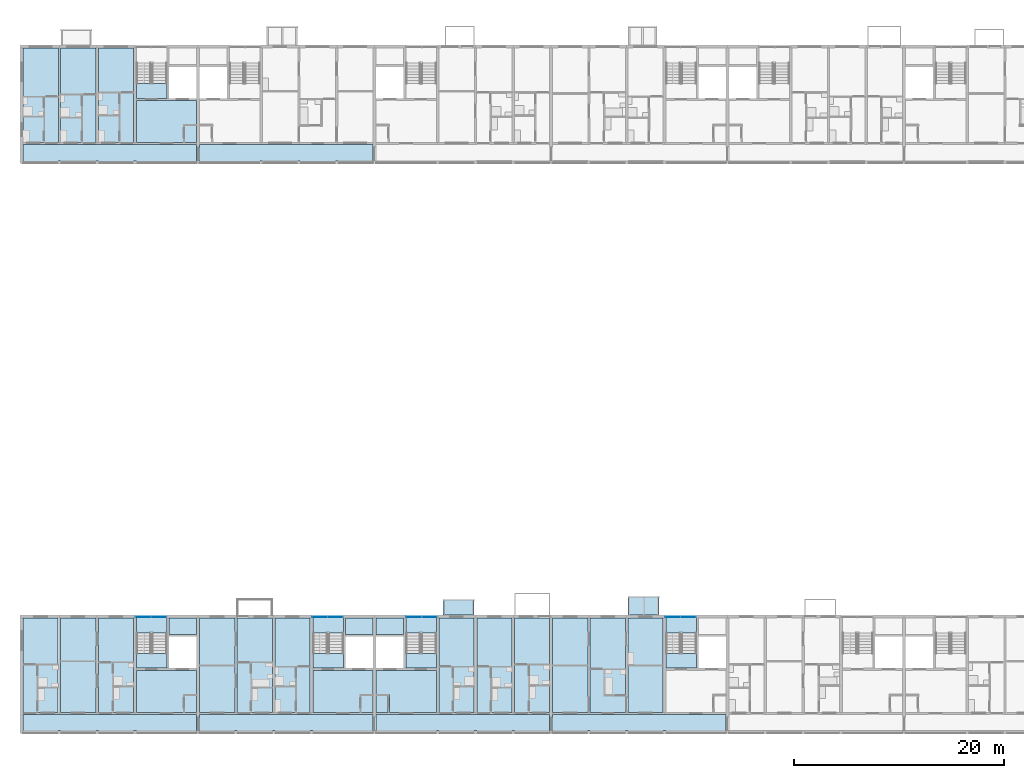
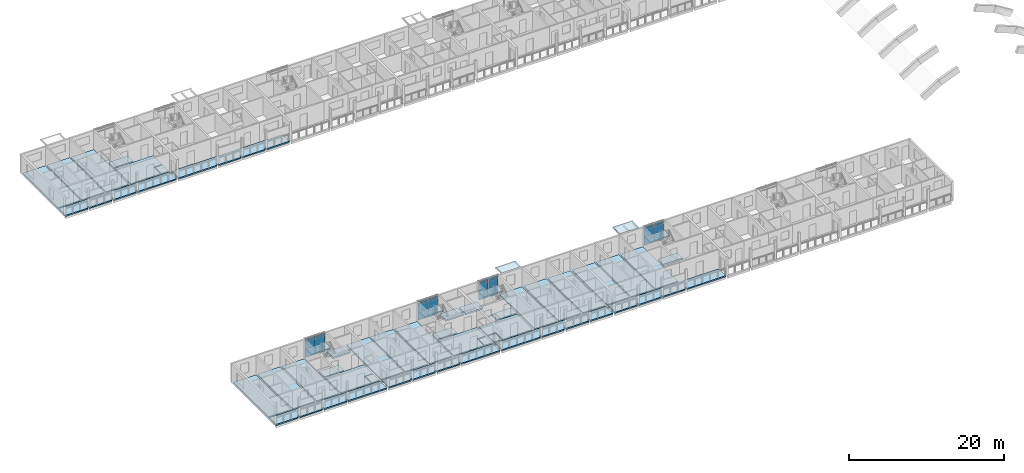
# One storey, part 21 of 99: 43 slabs, 16 plates, 8 elements without a shape of their own.
"""IFC4 building model written with IfcOpenShell, lengths in metres."""

from ifc_helpers import new_model, si_unit, direction, frame, origin, origin_2d, place, context, subcontext, project, spatial, polyline, rectangle, outline, extrude, material, layer, layer_set, type_object, element, aggregate, save


model = new_model("IFC4")

# Units and contexts
model_context = context("Model", 3, precision=1e-05, world=origin(), true_north=direction((0.0, 1.0)))
body_context = subcontext(model_context, "Body", "Model", "MODEL_VIEW")
ifc_project = project(units=[si_unit("LENGTHUNIT", "METRE"), si_unit("AREAUNIT", "SQUARE_METRE"), si_unit("VOLUMEUNIT", "CUBIC_METRE"), si_unit("PLANEANGLEUNIT", "RADIAN"), si_unit("MASSUNIT", "GRAM", prefix="KILO")], contexts=[model_context])

# Site, building, storey
site_placement = place(None, origin())
site = spatial("IfcSite", under=ifc_project, at=site_placement, CompositionType="ELEMENT")
building_placement = place(site_placement, origin())
building = spatial("IfcBuilding", under=site, at=building_placement, Name="Ridgestep Commons", CompositionType="ELEMENT")
storey_placement = place(building_placement, frame((0.0, 0.0, 15.0)))
storey = spatial("IfcBuildingStorey", under=building, at=storey_placement, Name="L05", CompositionType="ELEMENT", Elevation=15.0)

# Slabs
ifc_material_1 = material(Name="Precast concrete C40/50", Category="concrete")
ifc_layer_1 = layer(ifc_material_1, 0.199951171875)
ifc_layer_set_1 = layer_set([ifc_layer_1], Name="Gallery slab 200")
slab_type_1 = type_object("IfcSlabType", Name="Gallery slab 200", PredefinedType="FLOOR", material=ifc_layer_set_1)
slab_1_placement = place(storey_placement, frame((0.0, 0.0, -0.199951171875)))
element("IfcSlab", 1, at=slab_1_placement, inside=storey, type_object=slab_type_1, Name="Gallery slab A1 L05", PredefinedType="FLOOR", context=body_context, shape_type="SweptSolid", body=[
    extrude(outline(polyline([(28.64990234375, 13.550048828125), (12.14990234375, 13.550048828125), (12.14990234375, 11.75), (15.47509765625, 11.75), (15.47509765625, 12.0), (15.72509765625, 12.0), (15.72509765625, 11.75), (19.074951171875, 11.75), (19.074951171875, 12.0), (19.324951171875, 12.0), (19.324951171875, 11.75), (22.675048828125, 11.75), (22.675048828125, 12.0), (22.925048828125, 12.0), (22.925048828125, 11.75), (28.64990234375, 11.75), (28.64990234375, 13.550048828125)])), origin(), (0.0, 0.0, 1.0), 0.199951171875),
])
slab_2_placement = place(storey_placement, frame((0.0, 0.0, -0.199951171875)))
element("IfcSlab", 2, at=slab_2_placement, inside=storey, type_object=slab_type_1, Name="Gallery slab A2 L05", PredefinedType="FLOOR", context=body_context, shape_type="SweptSolid", body=[
    extrude(outline(polyline([(45.449951171875, 13.550048828125), (28.949951171875, 13.550048828125), (28.949951171875, 11.75), (32.27490234375, 11.75), (32.27490234375, 12.0), (32.52490234375, 12.0), (32.52490234375, 11.75), (35.875, 11.75), (35.875, 12.0), (36.125, 12.0), (36.125, 11.75), (39.47509765625, 11.75), (39.47509765625, 12.0), (39.72509765625, 12.0), (39.72509765625, 11.75), (45.449951171875, 11.75), (45.449951171875, 13.550048828125)])), origin(), (0.0, 0.0, 1.0), 0.199951171875),
])
slab_3_placement = place(storey_placement, frame((0.0, 0.0, -0.199951171875)))
element("IfcSlab", 3, at=slab_3_placement, inside=storey, type_object=slab_type_1, Name="Gallery slab A3 L05", PredefinedType="FLOOR", context=body_context, shape_type="SweptSolid", body=[
    extrude(outline(polyline([(62.25, 13.550048828125), (45.75, 13.550048828125), (45.75, 11.75), (51.47509765625, 11.75), (51.47509765625, 12.0), (51.72509765625, 12.0), (51.72509765625, 11.75), (55.074951171875, 11.75), (55.074951171875, 12.0), (55.324951171875, 12.0), (55.324951171875, 11.75), (58.675048828125, 11.75), (58.675048828125, 12.0), (58.925048828125, 12.0), (58.925048828125, 11.75), (62.25, 11.75), (62.25, 13.550048828125)])), origin(), (0.0, 0.0, 1.0), 0.199951171875),
])
slab_4_placement = place(storey_placement, frame((0.0, 0.0, -0.199951171875)))
element("IfcSlab", 4, at=slab_4_placement, inside=storey, type_object=slab_type_1, Name="Gallery slab A4 L05", PredefinedType="FLOOR", context=body_context, shape_type="SweptSolid", body=[
    extrude(outline(polyline([(79.050048828125, 13.550048828125), (62.550048828125, 13.550048828125), (62.550048828125, 11.75), (65.875, 11.75), (65.875, 12.0), (66.125, 12.0), (66.125, 11.75), (69.47509765625, 11.75), (69.47509765625, 12.0), (69.72509765625, 12.0), (69.72509765625, 11.75), (73.074951171875, 11.75), (73.074951171875, 12.0), (73.324951171875, 12.0), (73.324951171875, 11.75), (79.050048828125, 11.75), (79.050048828125, 13.550048828125)])), origin(), (0.0, 0.0, 1.0), 0.199951171875),
])
slab_5_placement = place(storey_placement, frame((0.0, 0.0, -0.199951171875)))
element("IfcSlab", 5, at=slab_5_placement, inside=storey, type_object=slab_type_1, Name="Gallery slab B1 L05", PredefinedType="FLOOR", context=body_context, shape_type="SweptSolid", body=[
    extrude(outline(polyline([(28.64990234375, 67.800048828125), (12.14990234375, 67.800048828125), (12.14990234375, 66.0), (15.47509765625, 66.0), (15.47509765625, 66.25), (15.72509765625, 66.25), (15.72509765625, 66.0), (19.074951171875, 66.0), (19.074951171875, 66.25), (19.324951171875, 66.25), (19.324951171875, 66.0), (22.675048828125, 66.0), (22.675048828125, 66.25), (22.925048828125, 66.25), (22.925048828125, 66.0), (28.64990234375, 66.0), (28.64990234375, 67.800048828125)])), origin(), (0.0, 0.0, 1.0), 0.199951171875),
])
slab_6_placement = place(storey_placement, frame((0.0, 0.0, -0.199951171875)))
element("IfcSlab", 6, at=slab_6_placement, inside=storey, type_object=slab_type_1, Name="Gallery slab B2 L05", PredefinedType="FLOOR", context=body_context, shape_type="SweptSolid", body=[
    extrude(outline(polyline([(45.449951171875, 67.800048828125), (28.949951171875, 67.800048828125), (28.949951171875, 66.0), (34.675048828125, 66.0), (34.675048828125, 66.25), (34.925048828125, 66.25), (34.925048828125, 66.0), (38.27490234375, 66.0), (38.27490234375, 66.25), (38.52490234375, 66.25), (38.52490234375, 66.0), (41.875, 66.0), (41.875, 66.25), (42.125, 66.25), (42.125, 66.0), (45.449951171875, 66.0), (45.449951171875, 67.800048828125)])), origin(), (0.0, 0.0, 1.0), 0.199951171875),
])

# Curtain wall, plates
ifc_material_2 = material(Name="Aluminium 6063-T6 and glass", Category="aluminium")
curtain_wall_type = type_object("IfcCurtainWallType", Name="Curtain wall stair strip", PredefinedType="NOTDEFINED", material=ifc_material_2)
curtain_wall_1_placement = place(storey_placement, origin())
curtain_wall_1 = element("IfcCurtainWall", 7, at=curtain_wall_1_placement, inside=storey, type_object=curtain_wall_type, Name="Curtain wall A1C level 05", PredefinedType="NOTDEFINED")
ifc_material_3 = material(Name="Glass laminated 6/16/6 low-emissivity", Category="glass")
ifc_layer_2 = layer(ifc_material_3, 0.028076171875)
ifc_layer_set_2 = layer_set([ifc_layer_2], Name="Glazing panel 28")
plate_type_1 = type_object("IfcPlateType", Name="Glazing panel 28", PredefinedType="CURTAIN_PANEL", material=ifc_layer_set_2)
plate_1_placement = place(storey_placement, frame((23.5712890625, 22.830078125, 0.06005859375), z_axis=(0.0, 0.0, 1.0), x_axis=(1.0, 0.0, 0.0)))
plate_1 = element("IfcPlate", 8, at=plate_1_placement, type_object=plate_type_1, Name="CW1 panel 1.1", PredefinedType="CURTAIN_PANEL", context=body_context, shape_type="SweptSolid", body=[
    extrude(rectangle(XDim=1.422607421875, YDim=0.028076171875, at=origin_2d()), origin(), (0.0, 0.0, 1.0), 2.5),
])
plate_2_placement = place(storey_placement, frame((25.0537109375, 22.830078125, 0.06005859375), z_axis=(0.0, 0.0, 1.0), x_axis=(1.0, 0.0, 0.0)))
plate_2 = element("IfcPlate", 9, at=plate_2_placement, type_object=plate_type_1, Name="CW1 panel 2.1", PredefinedType="CURTAIN_PANEL", context=body_context, shape_type="SweptSolid", body=[
    extrude(rectangle(XDim=1.422607421875, YDim=0.028076171875, at=origin_2d()), origin(), (0.0, 0.0, 1.0), 2.5),
])

curtain_wall_2_placement = place(storey_placement, origin())
curtain_wall_2 = element("IfcCurtainWall", 10, at=curtain_wall_2_placement, inside=storey, type_object=curtain_wall_type, Name="Curtain wall A2C level 05", PredefinedType="NOTDEFINED")
plate_3_placement = place(storey_placement, frame((40.371337890625, 22.830078125, 0.06005859375), z_axis=(0.0, 0.0, 1.0), x_axis=(1.0, 0.0, 0.0)))
plate_3 = element("IfcPlate", 11, at=plate_3_placement, type_object=plate_type_1, Name="CW1 panel 1.1", PredefinedType="CURTAIN_PANEL", context=body_context, shape_type="SweptSolid", body=[
    extrude(rectangle(XDim=1.422607421875, YDim=0.028076171875, at=origin_2d()), origin(), (0.0, 0.0, 1.0), 2.5),
])
plate_4_placement = place(storey_placement, frame((41.853759765625, 22.830078125, 0.06005859375), z_axis=(0.0, 0.0, 1.0), x_axis=(1.0, 0.0, 0.0)))
plate_4 = element("IfcPlate", 12, at=plate_4_placement, type_object=plate_type_1, Name="CW1 panel 2.1", PredefinedType="CURTAIN_PANEL", context=body_context, shape_type="SweptSolid", body=[
    extrude(rectangle(XDim=1.422607421875, YDim=0.028076171875, at=origin_2d()), origin(), (0.0, 0.0, 1.0), 2.5),
])

curtain_wall_3_placement = place(storey_placement, origin())
curtain_wall_3 = element("IfcCurtainWall", 13, at=curtain_wall_3_placement, inside=storey, type_object=curtain_wall_type, Name="Curtain wall A3C level 05", PredefinedType="NOTDEFINED")
plate_5_placement = place(storey_placement, frame((49.34619140625, 22.830078125, 0.06005859375), z_axis=(0.0, 0.0, 1.0), x_axis=(1.0, 0.0, 0.0)))
plate_5 = element("IfcPlate", 14, at=plate_5_placement, type_object=plate_type_1, Name="CW1 panel 1.1", PredefinedType="CURTAIN_PANEL", context=body_context, shape_type="SweptSolid", body=[
    extrude(rectangle(XDim=1.422607421875, YDim=0.028076171875, at=origin_2d()), origin(), (0.0, 0.0, 1.0), 2.5),
])
plate_6_placement = place(storey_placement, frame((50.828857421875, 22.830078125, 0.06005859375), z_axis=(0.0, 0.0, 1.0), x_axis=(1.0, 0.0, 0.0)))
plate_6 = element("IfcPlate", 15, at=plate_6_placement, type_object=plate_type_1, Name="CW1 panel 2.1", PredefinedType="CURTAIN_PANEL", context=body_context, shape_type="SweptSolid", body=[
    extrude(rectangle(XDim=1.422607421875, YDim=0.028076171875, at=origin_2d()), origin(), (0.0, 0.0, 1.0), 2.5),
])

curtain_wall_4_placement = place(storey_placement, origin())
curtain_wall_4 = element("IfcCurtainWall", 16, at=curtain_wall_4_placement, inside=storey, type_object=curtain_wall_type, Name="Curtain wall A4C level 05", PredefinedType="NOTDEFINED")
plate_7_placement = place(storey_placement, frame((73.97119140625, 22.830078125, 0.06005859375), z_axis=(0.0, 0.0, 1.0), x_axis=(1.0, 0.0, 0.0)))
plate_7 = element("IfcPlate", 17, at=plate_7_placement, type_object=plate_type_1, Name="CW1 panel 1.1", PredefinedType="CURTAIN_PANEL", context=body_context, shape_type="SweptSolid", body=[
    extrude(rectangle(XDim=1.422607421875, YDim=0.028076171875, at=origin_2d()), origin(), (0.0, 0.0, 1.0), 2.5),
])
plate_8_placement = place(storey_placement, frame((75.453857421875, 22.830078125, 0.06005859375), z_axis=(0.0, 0.0, 1.0), x_axis=(1.0, 0.0, 0.0)))
plate_8 = element("IfcPlate", 18, at=plate_8_placement, type_object=plate_type_1, Name="CW1 panel 2.1", PredefinedType="CURTAIN_PANEL", context=body_context, shape_type="SweptSolid", body=[
    extrude(rectangle(XDim=1.422607421875, YDim=0.028076171875, at=origin_2d()), origin(), (0.0, 0.0, 1.0), 2.5),
])

# Slabs
ifc_material_4 = material(Name="Precast concrete C50/60", Category="concrete")
ifc_layer_3 = layer(ifc_material_4, 0.199951171875)
ifc_layer_set_3 = layer_set([ifc_layer_3], Name="Hollow-core plank 200")
slab_type_2 = type_object("IfcSlabType", Name="Hollow-core plank 200", PredefinedType="FLOOR", material=ifc_layer_set_3)
slab_7_placement = place(storey_placement, frame((0.0, 0.0, -0.199951171875)))
element("IfcSlab", 19, at=slab_7_placement, inside=storey, type_object=slab_type_2, Name="Floor plank A1T1 L05", PredefinedType="FLOOR", context=body_context, shape_type="SweptSolid", body=[
    extrude(outline(polyline([(15.47509765625, 13.75), (15.47509765625, 22.75), (12.14990234375, 22.75), (12.14990234375, 13.75), (15.47509765625, 13.75)])), origin(), (0.0, 0.0, 1.0), 0.199951171875),
])
slab_8_placement = place(storey_placement, frame((0.0, 0.0, -0.199951171875)))
element("IfcSlab", 20, at=slab_8_placement, inside=storey, type_object=slab_type_2, Name="Floor plank A1T2 L05", PredefinedType="FLOOR", context=body_context, shape_type="SweptSolid", body=[
    extrude(outline(polyline([(19.074951171875, 13.75), (19.074951171875, 22.75), (15.72509765625, 22.75), (15.72509765625, 13.75), (19.074951171875, 13.75)])), origin(), (0.0, 0.0, 1.0), 0.199951171875),
])
slab_9_placement = place(storey_placement, frame((0.0, 0.0, -0.199951171875)))
element("IfcSlab", 21, at=slab_9_placement, inside=storey, type_object=slab_type_2, Name="Floor plank A1T3 L05", PredefinedType="FLOOR", context=body_context, shape_type="SweptSolid", body=[
    extrude(outline(polyline([(22.675048828125, 13.75), (22.675048828125, 22.75), (19.324951171875, 22.75), (19.324951171875, 13.75), (22.675048828125, 13.75)])), origin(), (0.0, 0.0, 1.0), 0.199951171875),
])
slab_10_placement = place(storey_placement, frame((0.0, 0.0, -0.199951171875)))
element("IfcSlab", 22, at=slab_10_placement, inside=storey, type_object=slab_type_2, Name="Floor plank A2T1 L05", PredefinedType="FLOOR", context=body_context, shape_type="SweptSolid", body=[
    extrude(outline(polyline([(32.300048828125, 13.75), (32.300048828125, 22.75), (28.949951171875, 22.75), (28.949951171875, 13.75), (32.300048828125, 13.75)])), origin(), (0.0, 0.0, 1.0), 0.199951171875),
])
slab_11_placement = place(storey_placement, frame((0.0, 0.0, -0.199951171875)))
element("IfcSlab", 23, at=slab_11_placement, inside=storey, type_object=slab_type_2, Name="Floor plank A2T2 L05", PredefinedType="FLOOR", context=body_context, shape_type="SweptSolid", body=[
    extrude(outline(polyline([(35.89990234375, 13.75), (35.89990234375, 22.75), (32.5, 22.75), (32.5, 13.75), (35.89990234375, 13.75)])), origin(), (0.0, 0.0, 1.0), 0.199951171875),
])
slab_12_placement = place(storey_placement, frame((0.0, 0.0, -0.199951171875)))
element("IfcSlab", 24, at=slab_12_placement, inside=storey, type_object=slab_type_2, Name="Floor plank A2T3 L05", PredefinedType="FLOOR", context=body_context, shape_type="SweptSolid", body=[
    extrude(outline(polyline([(39.47509765625, 13.75), (39.47509765625, 22.75), (36.10009765625, 22.75), (36.10009765625, 13.75), (39.47509765625, 13.75)])), origin(), (0.0, 0.0, 1.0), 0.199951171875),
])
slab_13_placement = place(storey_placement, frame((0.0, 0.0, -0.199951171875)))
element("IfcSlab", 25, at=slab_13_placement, inside=storey, type_object=slab_type_2, Name="Floor plank A3T3 L05", PredefinedType="FLOOR", context=body_context, shape_type="SweptSolid", body=[
    extrude(outline(polyline([(55.074951171875, 13.75), (55.074951171875, 22.75), (51.72509765625, 22.75), (51.72509765625, 13.75), (55.074951171875, 13.75)])), origin(), (0.0, 0.0, 1.0), 0.199951171875),
])
slab_14_placement = place(storey_placement, frame((0.0, 0.0, -0.199951171875)))
element("IfcSlab", 26, at=slab_14_placement, inside=storey, type_object=slab_type_2, Name="Floor plank A3T2 L05", PredefinedType="FLOOR", context=body_context, shape_type="SweptSolid", body=[
    extrude(outline(polyline([(58.675048828125, 13.75), (58.675048828125, 22.75), (55.324951171875, 22.75), (55.324951171875, 13.75), (58.675048828125, 13.75)])), origin(), (0.0, 0.0, 1.0), 0.199951171875),
])
slab_15_placement = place(storey_placement, frame((0.0, 0.0, -0.199951171875)))
element("IfcSlab", 27, at=slab_15_placement, inside=storey, type_object=slab_type_2, Name="Floor plank A3T1 L05", PredefinedType="FLOOR", context=body_context, shape_type="SweptSolid", body=[
    extrude(outline(polyline([(62.25, 13.75), (62.25, 22.75), (58.925048828125, 22.75), (58.925048828125, 13.75), (62.25, 13.75)])), origin(), (0.0, 0.0, 1.0), 0.199951171875),
])
slab_16_placement = place(storey_placement, frame((0.0, 0.0, -0.199951171875)))
element("IfcSlab", 28, at=slab_16_placement, inside=storey, type_object=slab_type_2, Name="Floor plank A4T1 L05", PredefinedType="FLOOR", context=body_context, shape_type="SweptSolid", body=[
    extrude(outline(polyline([(65.89990234375, 13.75), (65.89990234375, 22.75), (62.550048828125, 22.75), (62.550048828125, 13.75), (65.89990234375, 13.75)])), origin(), (0.0, 0.0, 1.0), 0.199951171875),
])
slab_17_placement = place(storey_placement, frame((0.0, 0.0, -0.199951171875)))
element("IfcSlab", 29, at=slab_17_placement, inside=storey, type_object=slab_type_2, Name="Floor plank A4T2 L05", PredefinedType="FLOOR", context=body_context, shape_type="SweptSolid", body=[
    extrude(outline(polyline([(69.5, 13.75), (69.5, 22.75), (66.10009765625, 22.75), (66.10009765625, 13.75), (69.5, 13.75)])), origin(), (0.0, 0.0, 1.0), 0.199951171875),
])
slab_18_placement = place(storey_placement, frame((0.0, 0.0, -0.199951171875)))
element("IfcSlab", 30, at=slab_18_placement, inside=storey, type_object=slab_type_2, Name="Floor plank A4T3 L05", PredefinedType="FLOOR", context=body_context, shape_type="SweptSolid", body=[
    extrude(outline(polyline([(73.074951171875, 13.75), (73.074951171875, 22.75), (69.699951171875, 22.75), (69.699951171875, 13.75), (73.074951171875, 13.75)])), origin(), (0.0, 0.0, 1.0), 0.199951171875),
])
slab_19_placement = place(storey_placement, frame((0.0, 0.0, -0.199951171875)))
element("IfcSlab", 31, at=slab_19_placement, inside=storey, type_object=slab_type_2, Name="Floor plank B1T1 L05", PredefinedType="FLOOR", context=body_context, shape_type="SweptSolid", body=[
    extrude(outline(polyline([(15.5, 68.0), (15.5, 77.0), (12.14990234375, 77.0), (12.14990234375, 68.0), (15.5, 68.0)])), origin(), (0.0, 0.0, 1.0), 0.199951171875),
])
slab_20_placement = place(storey_placement, frame((0.0, 0.0, -0.199951171875)))
element("IfcSlab", 32, at=slab_20_placement, inside=storey, type_object=slab_type_2, Name="Floor plank B1T2 L05", PredefinedType="FLOOR", context=body_context, shape_type="SweptSolid", body=[
    extrude(outline(polyline([(19.10009765625, 68.0), (19.10009765625, 77.0), (15.699951171875, 77.0), (15.699951171875, 68.0), (19.10009765625, 68.0)])), origin(), (0.0, 0.0, 1.0), 0.199951171875),
])
slab_21_placement = place(storey_placement, frame((0.0, 0.0, -0.199951171875)))
element("IfcSlab", 33, at=slab_21_placement, inside=storey, type_object=slab_type_2, Name="Floor plank B1T3 L05", PredefinedType="FLOOR", context=body_context, shape_type="SweptSolid", body=[
    extrude(outline(polyline([(22.675048828125, 68.0), (22.675048828125, 77.0), (19.300048828125, 77.0), (19.300048828125, 68.0), (22.675048828125, 68.0)])), origin(), (0.0, 0.0, 1.0), 0.199951171875),
])
ifc_material_5 = material(Name="Precast concrete C50/60", Category="concrete")
ifc_layer_4 = layer(ifc_material_5, 0.25)
ifc_layer_set_4 = layer_set([ifc_layer_4], Name="Hollow-core plank 250")
slab_type_3 = type_object("IfcSlabType", Name="Hollow-core plank 250", PredefinedType="FLOOR", material=ifc_layer_set_4)
slab_22_placement = place(storey_placement, frame((0.0, 0.0, -0.25)))
element("IfcSlab", 34, at=slab_22_placement, inside=storey, type_object=slab_type_3, Name="Floor plank A1C L05", PredefinedType="FLOOR", context=body_context, shape_type="SweptSolid", body=[
    extrude(outline(polyline([(27.52001953125, 15.469970703125), (28.64990234375, 15.469970703125), (28.64990234375, 17.75), (22.925048828125, 17.75), (22.925048828125, 13.75), (27.39990234375, 13.75), (27.39990234375, 15.469970703125), (27.52001953125, 15.469970703125)])), origin(), (0.0, 0.0, 1.0), 0.25),
])
slab_23_placement = place(storey_placement, frame((0.0, 0.0, -0.25)))
element("IfcSlab", 35, at=slab_23_placement, inside=storey, type_object=slab_type_3, Name="Floor plank A1C L05", PredefinedType="FLOOR", context=body_context, shape_type="SweptSolid", body=[
    extrude(outline(polyline([(28.64990234375, 21.14990234375), (28.64990234375, 22.75), (26.02490234375, 22.75), (26.02490234375, 21.14990234375), (28.64990234375, 21.14990234375)])), origin(), (0.0, 0.0, 1.0), 0.25),
])
slab_24_placement = place(storey_placement, frame((0.0, 0.0, -0.25)))
element("IfcSlab", 36, at=slab_24_placement, inside=storey, type_object=slab_type_3, Name="Floor plank A1C L05", PredefinedType="FLOOR", context=body_context, shape_type="SweptSolid", body=[
    extrude(outline(polyline([(25.824951171875, 17.949951171875), (25.824951171875, 19.35009765625), (22.925048828125, 19.35009765625), (22.925048828125, 17.949951171875), (25.824951171875, 17.949951171875)])), origin(), (0.0, 0.0, 1.0), 0.25),
])
slab_25_placement = place(storey_placement, frame((0.0, 0.0, -0.25)))
element("IfcSlab", 37, at=slab_25_placement, inside=storey, type_object=slab_type_3, Name="Floor plank A1C L05", PredefinedType="FLOOR", context=body_context, shape_type="SweptSolid", body=[
    extrude(outline(polyline([(27.52001953125, 13.75), (28.64990234375, 13.75), (28.64990234375, 15.35009765625), (27.52001953125, 15.35009765625), (27.52001953125, 13.75)])), origin(), (0.0, 0.0, 1.0), 0.25),
])
slab_26_placement = place(storey_placement, frame((0.0, 0.0, -0.25)))
element("IfcSlab", 38, at=slab_26_placement, inside=storey, type_object=slab_type_3, Name="Floor plank A2C L05", PredefinedType="FLOOR", context=body_context, shape_type="SweptSolid", body=[
    extrude(outline(polyline([(44.320068359375, 15.469970703125), (45.449951171875, 15.469970703125), (45.449951171875, 17.75), (39.72509765625, 17.75), (39.72509765625, 13.75), (44.199951171875, 13.75), (44.199951171875, 15.469970703125), (44.320068359375, 15.469970703125)])), origin(), (0.0, 0.0, 1.0), 0.25),
])
slab_27_placement = place(storey_placement, frame((0.0, 0.0, -0.25)))
element("IfcSlab", 39, at=slab_27_placement, inside=storey, type_object=slab_type_3, Name="Floor plank A2C L05", PredefinedType="FLOOR", context=body_context, shape_type="SweptSolid", body=[
    extrude(outline(polyline([(45.449951171875, 21.14990234375), (45.449951171875, 22.75), (42.824951171875, 22.75), (42.824951171875, 21.14990234375), (45.449951171875, 21.14990234375)])), origin(), (0.0, 0.0, 1.0), 0.25),
])
slab_28_placement = place(storey_placement, frame((0.0, 0.0, -0.25)))
element("IfcSlab", 40, at=slab_28_placement, inside=storey, type_object=slab_type_3, Name="Floor plank A2C L05", PredefinedType="FLOOR", context=body_context, shape_type="SweptSolid", body=[
    extrude(outline(polyline([(42.625, 17.949951171875), (42.625, 19.35009765625), (39.72509765625, 19.35009765625), (39.72509765625, 17.949951171875), (42.625, 17.949951171875)])), origin(), (0.0, 0.0, 1.0), 0.25),
])
slab_29_placement = place(storey_placement, frame((0.0, 0.0, -0.25)))
element("IfcSlab", 41, at=slab_29_placement, inside=storey, type_object=slab_type_3, Name="Floor plank A2C L05", PredefinedType="FLOOR", context=body_context, shape_type="SweptSolid", body=[
    extrude(outline(polyline([(44.320068359375, 13.75), (45.449951171875, 13.75), (45.449951171875, 15.35009765625), (44.320068359375, 15.35009765625), (44.320068359375, 13.75)])), origin(), (0.0, 0.0, 1.0), 0.25),
])
slab_30_placement = place(storey_placement, frame((0.0, 0.0, -0.25)))
element("IfcSlab", 42, at=slab_30_placement, inside=storey, type_object=slab_type_3, Name="Floor plank A3C L05", PredefinedType="FLOOR", context=body_context, shape_type="SweptSolid", body=[
    extrude(outline(polyline([(47.0, 13.75), (51.47509765625, 13.75), (51.47509765625, 17.75), (45.75, 17.75), (45.75, 15.469970703125), (46.8798828125, 15.469970703125), (47.0, 15.469970703125), (47.0, 13.75)])), origin(), (0.0, 0.0, 1.0), 0.25),
])
slab_31_placement = place(storey_placement, frame((0.0, 0.0, -0.25)))
element("IfcSlab", 43, at=slab_31_placement, inside=storey, type_object=slab_type_3, Name="Floor plank A3C L05", PredefinedType="FLOOR", context=body_context, shape_type="SweptSolid", body=[
    extrude(outline(polyline([(48.375, 22.75), (45.75, 22.75), (45.75, 21.14990234375), (48.375, 21.14990234375), (48.375, 22.75)])), origin(), (0.0, 0.0, 1.0), 0.25),
])
slab_32_placement = place(storey_placement, frame((0.0, 0.0, -0.25)))
element("IfcSlab", 44, at=slab_32_placement, inside=storey, type_object=slab_type_3, Name="Floor plank A3C L05", PredefinedType="FLOOR", context=body_context, shape_type="SweptSolid", body=[
    extrude(outline(polyline([(51.47509765625, 17.949951171875), (51.47509765625, 19.35009765625), (48.574951171875, 19.35009765625), (48.574951171875, 17.949951171875), (51.47509765625, 17.949951171875)])), origin(), (0.0, 0.0, 1.0), 0.25),
])
slab_33_placement = place(storey_placement, frame((0.0, 0.0, -0.25)))
element("IfcSlab", 45, at=slab_33_placement, inside=storey, type_object=slab_type_3, Name="Floor plank A3C L05", PredefinedType="FLOOR", context=body_context, shape_type="SweptSolid", body=[
    extrude(outline(polyline([(46.8798828125, 15.35009765625), (45.75, 15.35009765625), (45.75, 13.75), (46.8798828125, 13.75), (46.8798828125, 15.35009765625)])), origin(), (0.0, 0.0, 1.0), 0.25),
])
slab_34_placement = place(storey_placement, frame((0.0, 0.0, -0.25)))
element("IfcSlab", 46, at=slab_34_placement, inside=storey, type_object=slab_type_3, Name="Floor plank A4C L05", PredefinedType="FLOOR", context=body_context, shape_type="SweptSolid", body=[
    extrude(outline(polyline([(76.22509765625, 17.949951171875), (76.22509765625, 19.35009765625), (73.324951171875, 19.35009765625), (73.324951171875, 17.949951171875), (76.22509765625, 17.949951171875)])), origin(), (0.0, 0.0, 1.0), 0.25),
])
slab_35_placement = place(storey_placement, frame((0.0, 0.0, -0.25)))
element("IfcSlab", 47, at=slab_35_placement, inside=storey, type_object=slab_type_3, Name="Floor plank B1C L05", PredefinedType="FLOOR", context=body_context, shape_type="SweptSolid", body=[
    extrude(outline(polyline([(27.52001953125, 69.719970703125), (28.64990234375, 69.719970703125), (28.64990234375, 72.0), (22.925048828125, 72.0), (22.925048828125, 68.0), (27.39990234375, 68.0), (27.39990234375, 69.719970703125), (27.52001953125, 69.719970703125)])), origin(), (0.0, 0.0, 1.0), 0.25),
])
slab_36_placement = place(storey_placement, frame((0.0, 0.0, -0.25)))
element("IfcSlab", 48, at=slab_36_placement, inside=storey, type_object=slab_type_3, Name="Floor plank B1C L05", PredefinedType="FLOOR", context=body_context, shape_type="SweptSolid", body=[
    extrude(outline(polyline([(25.824951171875, 72.199951171875), (25.824951171875, 73.60009765625), (22.925048828125, 73.60009765625), (22.925048828125, 72.199951171875), (25.824951171875, 72.199951171875)])), origin(), (0.0, 0.0, 1.0), 0.25),
])
slab_37_placement = place(storey_placement, frame((0.0, 0.0, -0.25)))
element("IfcSlab", 49, at=slab_37_placement, inside=storey, type_object=slab_type_3, Name="Floor plank B1C L05", PredefinedType="FLOOR", context=body_context, shape_type="SweptSolid", body=[
    extrude(outline(polyline([(27.52001953125, 68.0), (28.64990234375, 68.0), (28.64990234375, 69.60009765625), (27.52001953125, 69.60009765625), (27.52001953125, 68.0)])), origin(), (0.0, 0.0, 1.0), 0.25),
])

# Plate
ifc_material_6 = material(Name="Aluminium 6063-T6 and mineral wool", Category="aluminium")
ifc_layer_5 = layer(ifc_material_6, 0.0400390625)
ifc_layer_set_5 = layer_set([ifc_layer_5], Name="Spandrel panel 40")
plate_type_2 = type_object("IfcPlateType", Name="Spandrel panel 40", PredefinedType="CURTAIN_PANEL", material=ifc_layer_set_5)
plate_9_placement = place(storey_placement, frame((23.5712890625, 22.830078125, 2.6201171875), z_axis=(0.0, 0.0, 1.0), x_axis=(1.0, 0.0, 0.0)))
plate_9 = element("IfcPlate", 50, at=plate_9_placement, type_object=plate_type_2, Name="CW1 panel 1.2", PredefinedType="CURTAIN_PANEL", context=body_context, shape_type="SweptSolid", body=[
    extrude(rectangle(XDim=1.422607421875, YDim=0.0400390625, at=origin_2d()), origin(), (0.0, 0.0, 1.0), 0.320068359375),
])

plate_10_placement = place(storey_placement, frame((25.0537109375, 22.830078125, 2.6201171875), z_axis=(0.0, 0.0, 1.0), x_axis=(1.0, 0.0, 0.0)))
plate_10 = element("IfcPlate", 51, at=plate_10_placement, type_object=plate_type_2, Name="CW1 panel 2.2", PredefinedType="CURTAIN_PANEL", context=body_context, shape_type="SweptSolid", body=[
    extrude(rectangle(XDim=1.422607421875, YDim=0.0400390625, at=origin_2d()), origin(), (0.0, 0.0, 1.0), 0.320068359375),
])

aggregate(curtain_wall_1, [plate_1, plate_9, plate_2, plate_10])

plate_11_placement = place(storey_placement, frame((40.371337890625, 22.830078125, 2.6201171875), z_axis=(0.0, 0.0, 1.0), x_axis=(1.0, 0.0, 0.0)))
plate_11 = element("IfcPlate", 52, at=plate_11_placement, type_object=plate_type_2, Name="CW1 panel 1.2", PredefinedType="CURTAIN_PANEL", context=body_context, shape_type="SweptSolid", body=[
    extrude(rectangle(XDim=1.422607421875, YDim=0.0400390625, at=origin_2d()), origin(), (0.0, 0.0, 1.0), 0.320068359375),
])

plate_12_placement = place(storey_placement, frame((41.853759765625, 22.830078125, 2.6201171875), z_axis=(0.0, 0.0, 1.0), x_axis=(1.0, 0.0, 0.0)))
plate_12 = element("IfcPlate", 53, at=plate_12_placement, type_object=plate_type_2, Name="CW1 panel 2.2", PredefinedType="CURTAIN_PANEL", context=body_context, shape_type="SweptSolid", body=[
    extrude(rectangle(XDim=1.422607421875, YDim=0.0400390625, at=origin_2d()), origin(), (0.0, 0.0, 1.0), 0.320068359375),
])

aggregate(curtain_wall_2, [plate_3, plate_11, plate_4, plate_12])

plate_13_placement = place(storey_placement, frame((49.34619140625, 22.830078125, 2.6201171875), z_axis=(0.0, 0.0, 1.0), x_axis=(1.0, 0.0, 0.0)))
plate_13 = element("IfcPlate", 54, at=plate_13_placement, type_object=plate_type_2, Name="CW1 panel 1.2", PredefinedType="CURTAIN_PANEL", context=body_context, shape_type="SweptSolid", body=[
    extrude(rectangle(XDim=1.422607421875, YDim=0.0400390625, at=origin_2d()), origin(), (0.0, 0.0, 1.0), 0.320068359375),
])

plate_14_placement = place(storey_placement, frame((50.828857421875, 22.830078125, 2.6201171875), z_axis=(0.0, 0.0, 1.0), x_axis=(1.0, 0.0, 0.0)))
plate_14 = element("IfcPlate", 55, at=plate_14_placement, type_object=plate_type_2, Name="CW1 panel 2.2", PredefinedType="CURTAIN_PANEL", context=body_context, shape_type="SweptSolid", body=[
    extrude(rectangle(XDim=1.422607421875, YDim=0.0400390625, at=origin_2d()), origin(), (0.0, 0.0, 1.0), 0.320068359375),
])

aggregate(curtain_wall_3, [plate_5, plate_13, plate_6, plate_14])

plate_15_placement = place(storey_placement, frame((73.97119140625, 22.830078125, 2.6201171875), z_axis=(0.0, 0.0, 1.0), x_axis=(1.0, 0.0, 0.0)))
plate_15 = element("IfcPlate", 56, at=plate_15_placement, type_object=plate_type_2, Name="CW1 panel 1.2", PredefinedType="CURTAIN_PANEL", context=body_context, shape_type="SweptSolid", body=[
    extrude(rectangle(XDim=1.422607421875, YDim=0.0400390625, at=origin_2d()), origin(), (0.0, 0.0, 1.0), 0.320068359375),
])

plate_16_placement = place(storey_placement, frame((75.453857421875, 22.830078125, 2.6201171875), z_axis=(0.0, 0.0, 1.0), x_axis=(1.0, 0.0, 0.0)))
plate_16 = element("IfcPlate", 57, at=plate_16_placement, type_object=plate_type_2, Name="CW1 panel 2.2", PredefinedType="CURTAIN_PANEL", context=body_context, shape_type="SweptSolid", body=[
    extrude(rectangle(XDim=1.422607421875, YDim=0.0400390625, at=origin_2d()), origin(), (0.0, 0.0, 1.0), 0.320068359375),
])

aggregate(curtain_wall_4, [plate_7, plate_15, plate_8, plate_16])

# Stair, slab
ifc_material_7 = material(Name="Precast concrete C40/50", Category="concrete")
stair_type = type_object("IfcStairType", Name="Escape stair 1400", PredefinedType="HALF_TURN_STAIR", material=ifc_material_7)
stair_1_placement = place(storey_placement, origin())
stair_1 = element("IfcStair", 58, at=stair_1_placement, inside=storey, type_object=stair_type, Name="L05 Escape stair A1C", PredefinedType="HALF_TURN_STAIR")
ifc_material_8 = material(Name="Precast concrete C40/50", Category="concrete")
ifc_layer_6 = layer(ifc_material_8, 0.199951171875)
ifc_layer_set_6 = layer_set([ifc_layer_6], Name="Stair landing 200")
slab_type_4 = type_object("IfcSlabType", Name="Stair landing 200", PredefinedType="LANDING", material=ifc_layer_set_6)
slab_38_placement = place(storey_placement, frame((0.0, 0.0, 1.300048828125)))
slab_38 = element("IfcSlab", 59, at=slab_38_placement, type_object=slab_type_4, Name="A1C landing 1", PredefinedType="LANDING", context=body_context, shape_type="SweptSolid", body=[
    extrude(outline(polyline([(25.824951171875, 21.31005859375), (25.824951171875, 22.75), (22.925048828125, 22.75), (22.925048828125, 21.31005859375), (25.824951171875, 21.31005859375)])), origin(), (0.0, 0.0, 1.0), 0.199951171875),
])
aggregate(stair_1, [slab_38])

stair_2_placement = place(storey_placement, origin())
stair_2 = element("IfcStair", 60, at=stair_2_placement, inside=storey, type_object=stair_type, Name="L05 Escape stair A2C", PredefinedType="HALF_TURN_STAIR")
slab_39_placement = place(storey_placement, frame((0.0, 0.0, 1.300048828125)))
slab_39 = element("IfcSlab", 61, at=slab_39_placement, type_object=slab_type_4, Name="A2C landing 1", PredefinedType="LANDING", context=body_context, shape_type="SweptSolid", body=[
    extrude(outline(polyline([(42.625, 21.31005859375), (42.625, 22.75), (39.72509765625, 22.75), (39.72509765625, 21.31005859375), (42.625, 21.31005859375)])), origin(), (0.0, 0.0, 1.0), 0.199951171875),
])
aggregate(stair_2, [slab_39])

stair_3_placement = place(storey_placement, origin())
stair_3 = element("IfcStair", 62, at=stair_3_placement, inside=storey, type_object=stair_type, Name="L05 Escape stair A3C", PredefinedType="HALF_TURN_STAIR")
slab_40_placement = place(storey_placement, frame((0.0, 0.0, 1.300048828125)))
slab_40 = element("IfcSlab", 63, at=slab_40_placement, type_object=slab_type_4, Name="A3C landing 1", PredefinedType="LANDING", context=body_context, shape_type="SweptSolid", body=[
    extrude(outline(polyline([(51.47509765625, 21.31005859375), (51.47509765625, 22.75), (48.574951171875, 22.75), (48.574951171875, 21.31005859375), (51.47509765625, 21.31005859375)])), origin(), (0.0, 0.0, 1.0), 0.199951171875),
])
aggregate(stair_3, [slab_40])

stair_4_placement = place(storey_placement, origin())
stair_4 = element("IfcStair", 64, at=stair_4_placement, inside=storey, type_object=stair_type, Name="L05 Escape stair A4C", PredefinedType="HALF_TURN_STAIR")
slab_41_placement = place(storey_placement, frame((0.0, 0.0, 1.300048828125)))
slab_41 = element("IfcSlab", 65, at=slab_41_placement, type_object=slab_type_4, Name="A4C landing 1", PredefinedType="LANDING", context=body_context, shape_type="SweptSolid", body=[
    extrude(outline(polyline([(76.22509765625, 21.31005859375), (76.22509765625, 22.75), (73.324951171875, 22.75), (73.324951171875, 21.31005859375), (76.22509765625, 21.31005859375)])), origin(), (0.0, 0.0, 1.0), 0.199951171875),
])
aggregate(stair_4, [slab_41])

# Slabs
ifc_material_9 = material(Name="Weathering steel S355J2W", Category="steel")
ifc_layer_7 = layer(ifc_material_9, 0.010009765625)
ifc_layer_set_7 = layer_set([ifc_layer_7], Name="Tray 3.0 x 1.5")
slab_type_5 = type_object("IfcSlabType", Name="Tray 3.0 x 1.5", PredefinedType="FLOOR", material=ifc_layer_set_7)
slab_42_placement = place(storey_placement, frame((0.0, 0.0, 2.989990234375)))
element("IfcSlab", 66, at=slab_42_placement, inside=storey, type_object=slab_type_5, Name="Tray deck A3T3-06", PredefinedType="FLOOR", context=body_context, shape_type="SweptSolid", body=[
    extrude(outline(polyline([(52.1298828125, 23.0), (55.070068359375, 23.0), (55.070068359375, 24.5), (52.1298828125, 24.5), (52.1298828125, 23.0)])), origin(), (0.0, 0.0, 1.0), 0.010009765625),
])
ifc_material_10 = material(Name="Weathering steel S355J2W", Category="steel")
ifc_layer_8 = layer(ifc_material_10, 0.010009765625)
ifc_layer_set_8 = layer_set([ifc_layer_8], Name="Tray 3.0 x 1.8")
slab_type_6 = type_object("IfcSlabType", Name="Tray 3.0 x 1.8", PredefinedType="FLOOR", material=ifc_layer_set_8)
slab_43_placement = place(storey_placement, frame((0.0, 0.0, 2.989990234375)))
element("IfcSlab", 67, at=slab_43_placement, inside=storey, type_object=slab_type_6, Name="Tray deck A4T3-06", PredefinedType="FLOOR", context=body_context, shape_type="SweptSolid", body=[
    extrude(outline(polyline([(69.72998046875, 23.0), (72.669921875, 23.0), (72.669921875, 24.800048828125), (69.72998046875, 24.800048828125), (69.72998046875, 23.0)])), origin(), (0.0, 0.0, 1.0), 0.010009765625),
])

save(model, "model.ifc")
